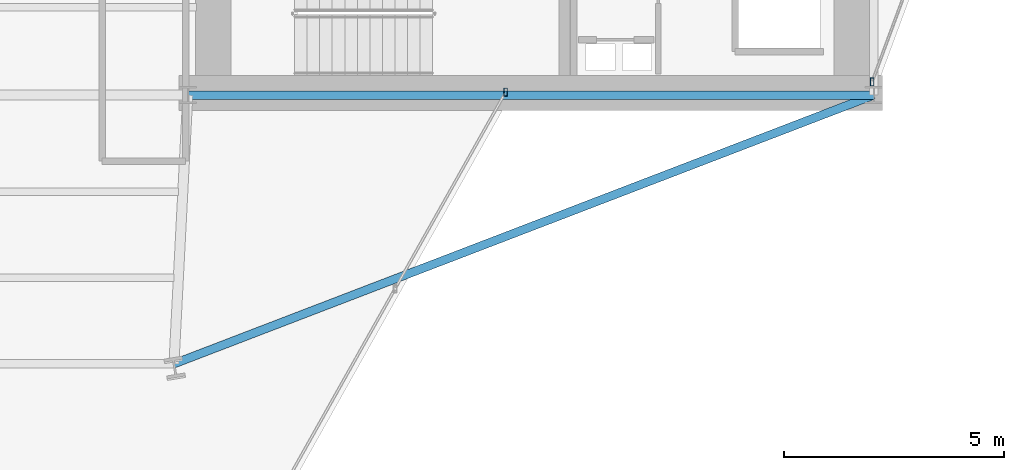
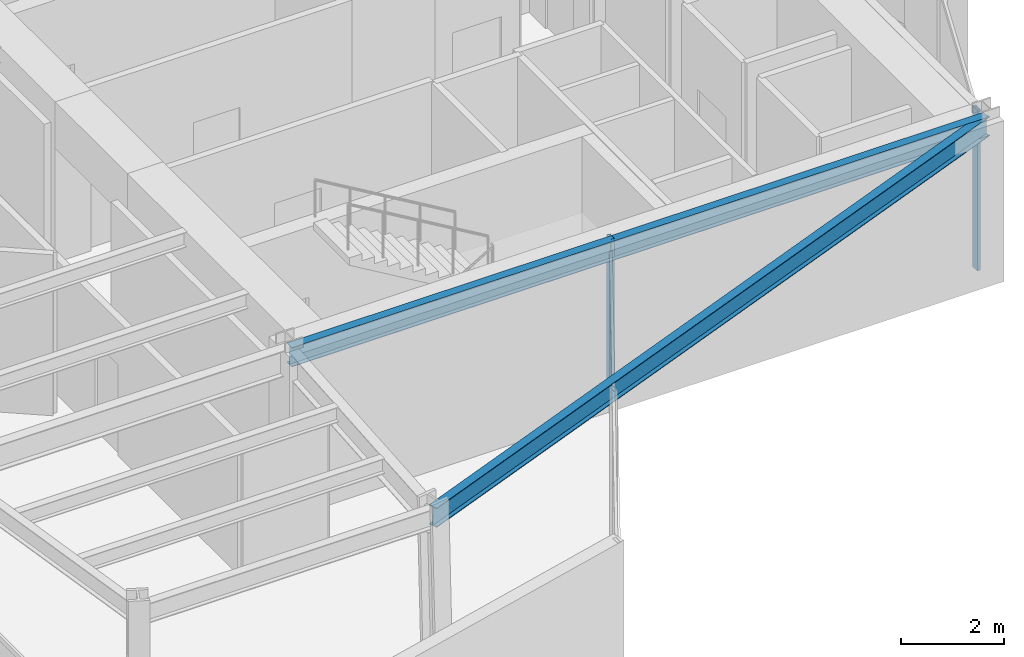
# One storey, part 14 of 23: 2 beams, 2 members, 2 elements without a shape of their own.
"""IFC4 building model written with IfcOpenShell, lengths in metres."""

import ifcopenshell
import ifcopenshell.guid

model = None  # the IFC model being written
_history = None  # IfcOwnerHistory: only IFC2X3 demands one
_inside = {}  # id of a spatial element -> (the spatial element, [elements in it])
_under = {}  # id of a project, library or spatial element -> (it, [spatial elements below it])
_declared = {}  # id of a project -> (the project, [libraries it declares])
_typed = {}  # id of a type object -> (the type object, [elements of that type])
_made_of = {}  # id of a material, layer set ... -> (it, [elements and type objects made of it])


def new_model(schema):
    """Start an empty IFC model of exactly this schema.

    Asked for "IFC4X3", IfcOpenShell would pick the latest addendum, in which some entities
    have other attributes; the version numbers below select the first issue.
    IFC2X3 requires an IfcOwnerHistory on every rooted entity: one is made here for all.
    """
    global model, _history
    if schema == "IFC4X3":
        model = ifcopenshell.file(schema_version=(4, 3, 0, 0))
    else:
        model = ifcopenshell.file(schema=schema)
    _inside.clear()
    _under.clear()
    _declared.clear()
    _typed.clear()
    _made_of.clear()
    _history = None
    if model.schema == "IFC2X3":
        org = make("IfcOrganization", Name="unknown")
        user = make(
            "IfcPersonAndOrganization",
            ThePerson=make("IfcPerson", FamilyName="unknown"),
            TheOrganization=org,
        )
        app = make(
            "IfcApplication",
            ApplicationDeveloper=org,
            Version="unknown",
            ApplicationFullName="unknown",
            ApplicationIdentifier="unknown",
        )
        _history = make(
            "IfcOwnerHistory",
            OwningUser=user,
            OwningApplication=app,
            ChangeAction="ADDED",
            CreationDate=0,
        )
    return model


def make(cls, **values):
    """One entity of the class cls with the attributes given. An attribute that is None is left unset."""
    return model.create_entity(
        cls, **{name: value for name, value in values.items() if value is not None}
    )


def rooted(cls, **values):
    """An entity with a GlobalId (a new one), such as an element, a storey or a relation."""
    return make(cls, GlobalId=ifcopenshell.guid.new(), OwnerHistory=_history, **values)


def si_unit(unit_type, name, prefix=None):
    """IfcSIUnit, for example si_unit("LENGTHUNIT", "METRE", prefix="MILLI")."""
    return make("IfcSIUnit", UnitType=unit_type, Prefix=prefix, Name=name)


def assignment(units):
    """IfcUnitAssignment: the units of a project."""
    return None if units is None else make("IfcUnitAssignment", Units=units)


def point(xyz):
    """IfcCartesianPoint."""
    return None if xyz is None else make("IfcCartesianPoint", Coordinates=xyz)


def direction(xyz):
    """IfcDirection."""
    return None if xyz is None else make("IfcDirection", DirectionRatios=xyz)


def frame(location, z_axis=None, x_axis=None):
    """IfcAxis2Placement3D, a coordinate frame: its origin and axes. An axis left out is left unset."""
    return make(
        "IfcAxis2Placement3D",
        Location=point(location),
        Axis=direction(z_axis),
        RefDirection=direction(x_axis),
    )


def frame_2d(location, x_axis=None):
    """IfcAxis2Placement2D, a coordinate frame in the plane: its origin and x axis."""
    return make(
        "IfcAxis2Placement2D", Location=point(location), RefDirection=direction(x_axis)
    )


def origin():
    """The frame at (0, 0, 0) with its axes left unset."""
    return frame((0.0, 0.0, 0.0))


def origin_2d():
    """The frame at (0, 0) in the plane with its x axis left unset."""
    return frame_2d((0.0, 0.0))


def place(relative_to, where):
    """IfcLocalPlacement: puts the frame where relative to a parent placement (None: the world)."""
    return make(
        "IfcLocalPlacement", PlacementRelTo=relative_to, RelativePlacement=where
    )


def context(
    kind, dimensions, precision=None, world=None, true_north=None, identifier=None
):
    """IfcGeometricRepresentationContext, for example the 3D "Model" context."""
    return make(
        "IfcGeometricRepresentationContext",
        ContextIdentifier=identifier,
        ContextType=kind,
        CoordinateSpaceDimension=dimensions,
        Precision=precision,
        WorldCoordinateSystem=world,
        TrueNorth=true_north,
    )


def subcontext(parent, identifier, kind, view, scale=None):
    """IfcGeometricRepresentationSubContext, for example "Body" below "Model"."""
    return make(
        "IfcGeometricRepresentationSubContext",
        ContextIdentifier=identifier,
        ContextType=kind,
        ParentContext=parent,
        TargetScale=scale,
        TargetView=view,
    )


def project(units=None, contexts=None):
    """IfcProject with its units and contexts."""
    return rooted(
        "IfcProject",
        Name="project",
        RepresentationContexts=contexts,
        UnitsInContext=assignment(units),
    )


def spatial(cls, under=None, at=None, **own):
    """A site, building, storey or space (cls), placed at a placement, below another one or the project."""
    s = rooted(cls, ObjectPlacement=at, **own)
    if under is not None:
        _under.setdefault(under.id(), (under, []))[1].append(s)
    return s


def profile(cls, at=None, kind="AREA", **sizes):
    """A parametric profile (cls). Its sizes go by their IFC names, for example OverallWidth=200.0."""
    return make(cls, ProfileType=kind, Position=at, **sizes)


def hollow_rectangle(**sizes):
    """IfcRectangleHollowProfileDef."""
    return profile("IfcRectangleHollowProfileDef", **sizes)


def i_section(**sizes):
    """IfcIShapeProfileDef."""
    return profile("IfcIShapeProfileDef", **sizes)


def extrude(swept, where, along, depth):
    """IfcExtrudedAreaSolid: the profile swept, set in the frame where, extruded along a direction by depth."""
    return make(
        "IfcExtrudedAreaSolid",
        SweptArea=swept,
        Position=where,
        ExtrudedDirection=direction(along),
        Depth=depth,
    )


def shape(context_of_items, identifier, shape_type, items):
    """IfcShapeRepresentation: the items that make up one representation, for example the "Body"."""
    return make(
        "IfcShapeRepresentation",
        ContextOfItems=context_of_items,
        RepresentationIdentifier=identifier,
        RepresentationType=shape_type,
        Items=items,
    )


def material(Name=None, Category=None):
    """IfcMaterial."""
    return make("IfcMaterial", Name=Name, Category=Category)


def layer(
    of_material, thickness, ventilated=None, Name=None, Category=None, Priority=None
):
    """IfcMaterialLayer: one layer of a wall or slab, of a material (None: an air gap)."""
    return make(
        "IfcMaterialLayer",
        Material=of_material,
        LayerThickness=thickness,
        IsVentilated=ventilated,
        Name=Name,
        Category=Category,
        Priority=Priority,
    )


def layer_set(layers, Name=None):
    """IfcMaterialLayerSet."""
    return make("IfcMaterialLayerSet", MaterialLayers=layers, LayerSetName=Name)


def material_profile(
    of_material, cross_section, Name=None, Category=None, Priority=None
):
    """IfcMaterialProfile: a cross section and its material."""
    return make(
        "IfcMaterialProfile",
        Name=Name,
        Material=of_material,
        Profile=cross_section,
        Priority=Priority,
        Category=Category,
    )


def profile_set(profiles, Name=None, composite=None):
    """IfcMaterialProfileSet."""
    return make(
        "IfcMaterialProfileSet",
        Name=Name,
        MaterialProfiles=profiles,
        CompositeProfile=composite,
    )


def made_of(thing, what):
    """Note that an element or type object is made of a material, layer set ...; save() writes the relation."""
    if what is not None:
        _made_of.setdefault(what.id(), (what, []))[1].append(thing)
    return thing


def type_object(cls, material=None, **own):
    """A type object (cls), such as IfcWallType, which elements share."""
    return made_of(rooted(cls, **own), material)


def element(
    cls,
    number,
    at=None,
    inside=None,
    cuts=None,
    type_object=None,
    material=None,
    context=None,
    identifier="Body",
    shape_type=None,
    held_by="IfcProductDefinitionShape",
    body=None,
    shapes=None,
    **own,
):
    """One element of the class cls, such as IfcWall. Its Tag is "e" and its number.

    at: its placement. inside: the storey or other place that contains it. cuts: it is an
    opening in that element (IfcRelVoidsElement). A single representation is given by context,
    identifier, shape_type and body (its items); several are given by shapes. held_by: the class
    of the entity that holds the representations. save() writes the other relations.
    """
    e = rooted(cls, Tag="e%d" % number, ObjectPlacement=at, **own)
    if body is not None:
        shapes = [shape(context, identifier, shape_type, body)]
    if shapes is not None:
        e.Representation = make(held_by, Representations=shapes)
    if inside is not None:
        _inside.setdefault(inside.id(), (inside, []))[1].append(e)
    if cuts is not None:
        rooted(
            "IfcRelVoidsElement", RelatingBuildingElement=cuts, RelatedOpeningElement=e
        )
    if type_object is not None:
        _typed.setdefault(type_object.id(), (type_object, []))[1].append(e)
    return made_of(e, material)


def aggregate(whole, parts):
    """IfcRelAggregates: a whole, such as a stair, and the parts it consists of."""
    return rooted("IfcRelAggregates", RelatingObject=whole, RelatedObjects=parts)


def save(model, path):
    """Write the relations noted so far, then the file.

    IfcRelAggregates (storeys below a building ...), IfcRelContainedInSpatialStructure (elements
    in a storey), IfcRelDefinesByType, IfcRelAssociatesMaterial and IfcRelDeclares: one each for
    every whole, place, type object, material and project.
    """
    for whole, parts in _under.values():
        aggregate(whole, parts)
    for where, things in _inside.values():
        rooted(
            "IfcRelContainedInSpatialStructure",
            RelatedElements=things,
            RelatingStructure=where,
        )
    for kind, things in _typed.values():
        rooted("IfcRelDefinesByType", RelatedObjects=things, RelatingType=kind)
    for what, things in _made_of.values():
        rooted("IfcRelAssociatesMaterial", RelatedObjects=things, RelatingMaterial=what)
    for by, libraries in _declared.values():
        rooted("IfcRelDeclares", RelatingContext=by, RelatedDefinitions=libraries)
    model.write(path)


model = new_model("IFC4")

# Units and contexts
model_context = context("Model", 3, precision=1e-05, world=origin(), true_north=direction((0.0, 1.0)))
body_context = subcontext(model_context, "Body", "Model", "MODEL_VIEW")
ifc_project = project(units=[si_unit("LENGTHUNIT", "METRE"), si_unit("AREAUNIT", "SQUARE_METRE"), si_unit("VOLUMEUNIT", "CUBIC_METRE"), si_unit("PLANEANGLEUNIT", "RADIAN"), si_unit("MASSUNIT", "GRAM", prefix="KILO")], contexts=[model_context])

# Site, building, storey
site_placement = place(None, origin())
site = spatial("IfcSite", under=ifc_project, at=site_placement, CompositionType="ELEMENT")
building_placement = place(site_placement, origin())
building = spatial("IfcBuilding", under=site, at=building_placement, Name="Veymaron Broadcast Tower", CompositionType="ELEMENT")
storey_placement = place(building_placement, frame((0.0, 0.0, 165.449951171875)))
storey = spatial("IfcBuildingStorey", under=building, at=storey_placement, Name="L38", CompositionType="ELEMENT", Elevation=165.449951171875)

# Beams
ifc_material_1 = material(Name="Structural steel ASTM A992 Gr 50", Category="steel")
ifc_material_profile_1 = material_profile(ifc_material_1, i_section(OverallWidth=0.19091796875, OverallDepth=0.4599609375, WebThickness=0.010009765625, FlangeThickness=0.01611328125, at=origin_2d()), Name="W460X82")
ifc_profile_set_1 = profile_set([ifc_material_profile_1], Name="Structural steel ASTM A992 Gr 50")
beam_type = type_object("IfcBeamType", Name="BM-SP1", PredefinedType="SPANDREL", material=ifc_profile_set_1)
beam_1_placement = place(storey_placement, frame((39.0, 16.0, 3.580078125), z_axis=(1.0, 0.0, 0.0), x_axis=(0.0, 1.0, 0.0)))
element("IfcBeam", 1, at=beam_1_placement, inside=storey, type_object=beam_type, Name="L38 primary structural floor girder", PredefinedType="SPANDREL", context=body_context, shape_type="SweptSolid", body=[
    extrude(i_section(OverallWidth=0.19091796875, OverallDepth=0.4599609375, WebThickness=0.010009765625, FlangeThickness=0.01611328125, at=origin_2d()), origin(), (0.0, 0.0, 1.0), 15.60009765625),
])
beam_2_placement = place(storey_placement, frame((54.60009765625, 16.0, 3.580078125), z_axis=(-0.93356283501, -0.358413773575, 0.0), x_axis=(0.358413773575, -0.93356283501, 0.0)))
element("IfcBeam", 2, at=beam_2_placement, inside=storey, type_object=beam_type, Name="L38 primary structural floor girder", PredefinedType="SPANDREL", context=body_context, shape_type="SweptSolid", body=[
    extrude(i_section(OverallWidth=0.19091796875, OverallDepth=0.4599609375, WebThickness=0.010009765625, FlangeThickness=0.01611328125, at=origin_2d()), origin(), (0.0, 0.0, 1.0), 17.047607421875),
])

# Curtain wall, member
ifc_material_2 = material(Name="Anodised aluminium AA 6063-T6 and laminated low-E dark glass", Category="aluminium")
ifc_layer = layer(ifc_material_2, 0.179931640625)
ifc_layer_set = layer_set([ifc_layer], Name="Anodised aluminium AA 6063-T6 and laminated low-E dark glass")
curtain_wall_type = type_object("IfcCurtainWallType", Name="CW-SYS-03", PredefinedType="NOTDEFINED", material=ifc_layer_set)
curtain_wall_1_placement = place(storey_placement, origin())
curtain_wall_1 = element("IfcCurtainWall", 3, at=curtain_wall_1_placement, inside=storey, type_object=curtain_wall_type, Name="L38 dark-glass curtain wall CW-L38-E1-1", PredefinedType="NOTDEFINED")
ifc_material_3 = material(Name="Anodised aluminium AA 6063-T6", Category="aluminium")
ifc_material_profile_2 = material_profile(ifc_material_3, hollow_rectangle(XDim=0.074951171875, YDim=0.179931640625, WallThickness=0.0048828125, at=origin_2d()), Name="AL180X75X5")
ifc_profile_set_2 = profile_set([ifc_material_profile_2], Name="Anodised aluminium AA 6063-T6")
member_type = type_object("IfcMemberType", Name="CW-MUL-02", PredefinedType="MULLION", material=ifc_profile_set_2)
member_1_placement = place(storey_placement, frame((46.22802734375, 16.068603515625, 0.0), z_axis=(0.0, 0.0, 1.0), x_axis=(1.0, 0.0, 0.0)))
member_1 = element("IfcMember", 4, at=member_1_placement, type_object=member_type, Name="CW-L38-E1-1 mullion 2", PredefinedType="MULLION", context=body_context, shape_type="SweptSolid", body=[
    extrude(hollow_rectangle(XDim=0.074951171875, YDim=0.179931640625, WallThickness=0.0048828125, at=origin_2d()), origin(), (0.0, 0.0, 1.0), 3.81005859375),
])
aggregate(curtain_wall_1, [member_1])

curtain_wall_2_placement = place(storey_placement, origin())
curtain_wall_2 = element("IfcCurtainWall", 5, at=curtain_wall_2_placement, inside=storey, type_object=curtain_wall_type, Name="L38 dark-glass curtain wall CW-L38-E3-1", PredefinedType="NOTDEFINED")
member_2_placement = place(storey_placement, frame((54.56201171875, 16.30029296875, 0.0), z_axis=(0.0, 0.0, 1.0), x_axis=(1.0, 0.0, 0.0)))
member_2 = element("IfcMember", 6, at=member_2_placement, type_object=member_type, Name="CW-L38-E3-1 mullion 0", PredefinedType="MULLION", context=body_context, shape_type="SweptSolid", body=[
    extrude(hollow_rectangle(XDim=0.074951171875, YDim=0.179931640625, WallThickness=0.0048828125, at=origin_2d()), origin(), (0.0, 0.0, 1.0), 3.81005859375),
])
aggregate(curtain_wall_2, [member_2])

save(model, "model.ifc")
